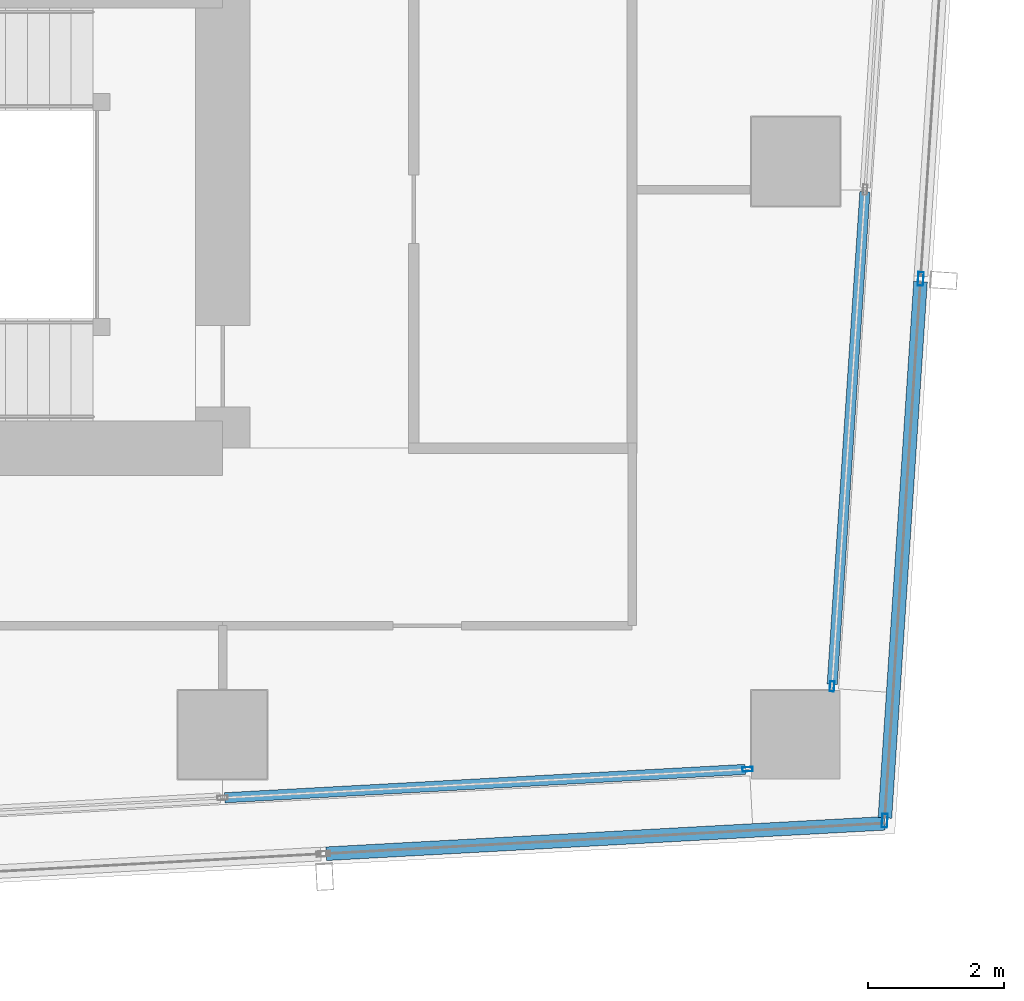
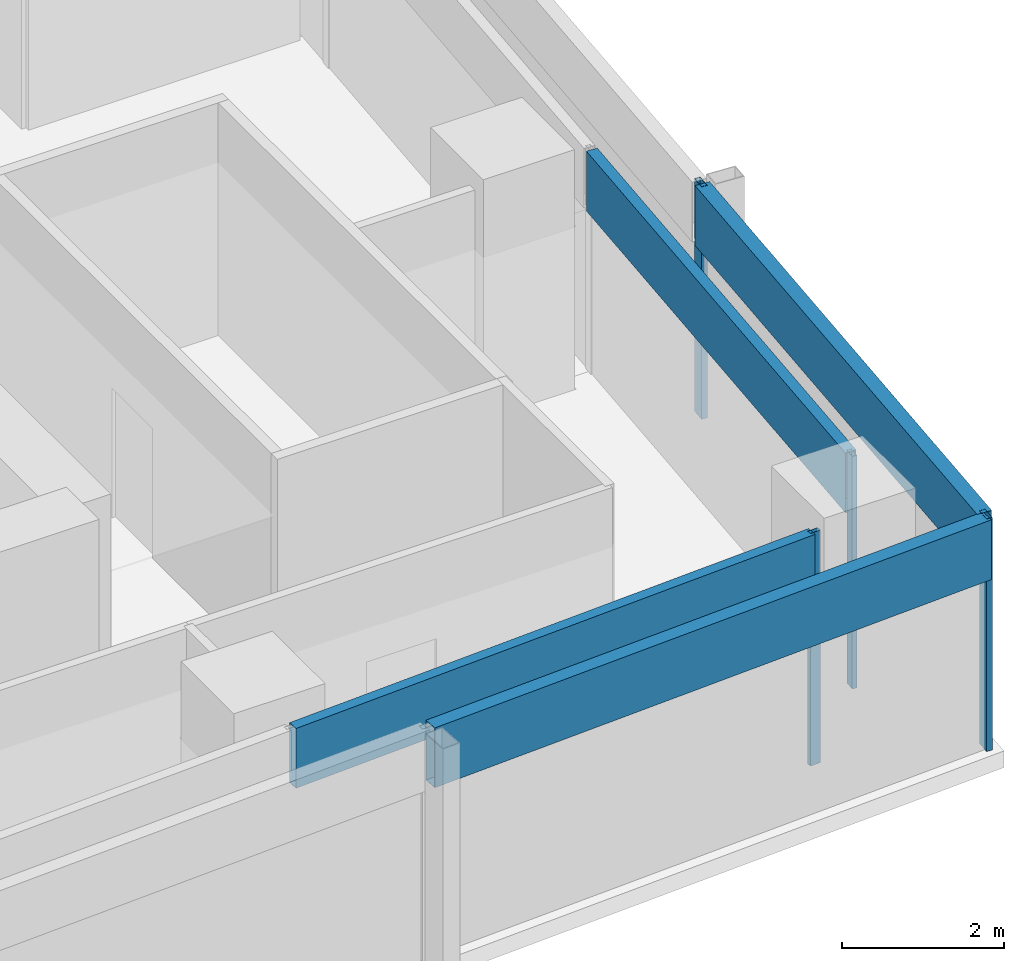
# One storey, part 11 of 29: 8 members, 4 elements without a shape of their own.
"""IFC4 building model written with IfcOpenShell, lengths in metres."""

from ifc_helpers import new_model, si_unit, direction, frame, origin, origin_2d, place, context, subcontext, project, spatial, hollow_rectangle, extrude, material, material_profile, profile_set, type_object, element, aggregate, save


model = new_model("IFC4")

# Units and contexts
model_context = context("Model", 3, precision=1e-05, world=origin(), true_north=direction((0.0, 1.0)))
body_context = subcontext(model_context, "Body", "Model", "MODEL_VIEW")
ifc_project = project(units=[si_unit("LENGTHUNIT", "METRE"), si_unit("AREAUNIT", "SQUARE_METRE"), si_unit("VOLUMEUNIT", "CUBIC_METRE"), si_unit("PLANEANGLEUNIT", "RADIAN"), si_unit("MASSUNIT", "GRAM", prefix="KILO")], contexts=[model_context])

# Site, building, storey
site_placement = place(None, origin())
site = spatial("IfcSite", under=ifc_project, at=site_placement, CompositionType="ELEMENT")
building_placement = place(site_placement, origin())
building = spatial("IfcBuilding", under=site, at=building_placement, Name="Rekha Terrace Tower", CompositionType="ELEMENT")
storey_placement = place(building_placement, frame((0.0, 0.0, 276.35009765625)))
storey = spatial("IfcBuildingStorey", under=building, at=storey_placement, Name="L70", CompositionType="ELEMENT", Elevation=276.35009765625)

# Curtain wall, member
ifc_material_1 = material(Name="Aluminium framing", Category="aluminium")
curtain_wall_type_1 = type_object("IfcCurtainWallType", Name="CW1 double skin inner glazing", PredefinedType="USERDEFINED", material=ifc_material_1)
curtain_wall_1_placement = place(storey_placement, origin())
curtain_wall_1 = element("IfcCurtainWall", 1, at=curtain_wall_1_placement, inside=storey, type_object=curtain_wall_type_1, Name="CW1 double skin inner glazing", ObjectType="DOUBLE SKIN INNER GLAZING", PredefinedType="USERDEFINED")
ifc_material_2 = material(Name="Aluminium mullion section", Category="aluminium")
ifc_material_profile_1 = material_profile(ifc_material_2, hollow_rectangle(XDim=0.06494140625, YDim=0.14990234375, WallThickness=0.00390625, at=origin_2d()), Name="AL RHS 65x150")
ifc_profile_set_1 = profile_set([ifc_material_profile_1], Name="Aluminium mullion section")
member_type_1 = type_object("IfcMemberType", Name="CW1 mullion RHS 65 x 150", PredefinedType="MULLION", material=ifc_profile_set_1)
member_1_placement = place(storey_placement, frame((58.092529296875, 16.2939453125, 0.0), z_axis=(0.0, 0.0, 1.0), x_axis=(-0.054388903036, 0.998519828159, 0.0)))
member_1 = element("IfcMember", 2, at=member_1_placement, type_object=member_type_1, Name="CW1 mullion 5", PredefinedType="MULLION", context=body_context, shape_type="SweptSolid", body=[
    extrude(hollow_rectangle(XDim=0.06494140625, YDim=0.14990234375, WallThickness=0.00390625, at=origin_2d()), origin(), (0.0, 0.0, 1.0), 3.5),
])

curtain_wall_2_placement = place(storey_placement, origin())
curtain_wall_2 = element("IfcCurtainWall", 3, at=curtain_wall_2_placement, inside=storey, type_object=curtain_wall_type_1, Name="CW1 double skin inner glazing", ObjectType="DOUBLE SKIN INNER GLAZING", PredefinedType="USERDEFINED")
member_2_placement = place(storey_placement, frame((59.3310546875, 17.5087890625, 0.0), z_axis=(0.0, 0.0, 1.0), x_axis=(-0.997801621769, 0.066271589649, 0.0)))
member_2 = element("IfcMember", 4, at=member_2_placement, type_object=member_type_1, Name="CW1 mullion 1", PredefinedType="MULLION", context=body_context, shape_type="SweptSolid", body=[
    extrude(hollow_rectangle(XDim=0.06494140625, YDim=0.14990234375, WallThickness=0.00390625, at=origin_2d()), origin(), (0.0, 0.0, 1.0), 3.5),
])

# Member
ifc_material_3 = material(Name="Insulated aluminium spandrel box", Category="aluminium")
ifc_material_profile_2 = material_profile(ifc_material_3, hollow_rectangle(XDim=0.14990234375, YDim=0.89990234375, WallThickness=0.0029296875, at=origin_2d()), Name="AL SPANDREL BOX 150x900")
ifc_profile_set_2 = profile_set([ifc_material_profile_2], Name="Insulated aluminium spandrel box")
member_type_2 = type_object("IfcMemberType", Name="CW1 spandrel transom 150 x 900", PredefinedType="USERDEFINED", material=ifc_profile_set_2)
member_3_placement = place(storey_placement, frame((50.431640625, 15.876708984375, 3.0498046875), z_axis=(0.998519749799, 0.054390341617, 0.0), x_axis=(-0.054390341617, 0.998519749799, 0.0)))
member_3 = element("IfcMember", 5, at=member_3_placement, type_object=member_type_2, Name="CW1 spandrel transom 4", ObjectType="TRANSOM", PredefinedType="USERDEFINED", context=body_context, shape_type="SweptSolid", body=[
    extrude(hollow_rectangle(XDim=0.14990234375, YDim=0.89990234375, WallThickness=0.0029296875, at=origin_2d()), origin(), (0.0, 0.0, 1.0), 7.6396484375),
])

aggregate(curtain_wall_1, [member_1, member_3])

member_4_placement = place(storey_placement, frame((59.333251953125, 17.541015625, 3.0498046875), z_axis=(0.066261233081, 0.997802309574, 0.0), x_axis=(-0.997802309574, 0.066261233081, 0.0)))
member_4 = element("IfcMember", 6, at=member_4_placement, type_object=member_type_2, Name="CW1 spandrel transom 1", ObjectType="TRANSOM", PredefinedType="USERDEFINED", context=body_context, shape_type="SweptSolid", body=[
    extrude(hollow_rectangle(XDim=0.14990234375, YDim=0.89990234375, WallThickness=0.0029296875, at=origin_2d()), origin(), (0.0, 0.0, 1.0), 7.22900390625),
])

aggregate(curtain_wall_2, [member_2, member_4])

# Curtain wall, members
curtain_wall_type_2 = type_object("IfcCurtainWallType", Name="CW2 double skin outer glazing", PredefinedType="USERDEFINED", material=ifc_material_1)
curtain_wall_3_placement = place(storey_placement, origin())
curtain_wall_3 = element("IfcCurtainWall", 7, at=curtain_wall_3_placement, inside=storey, type_object=curtain_wall_type_2, Name="CW2 double skin outer glazing", ObjectType="DOUBLE SKIN OUTER GLAZING", PredefinedType="USERDEFINED")
ifc_material_profile_3 = material_profile(ifc_material_2, hollow_rectangle(XDim=0.080078125, YDim=0.199951171875, WallThickness=0.00390625, at=origin_2d()), Name="AL RHS 80x200")
ifc_profile_set_3 = profile_set([ifc_material_profile_3], Name="Aluminium mullion section")
member_type_3 = type_object("IfcMemberType", Name="CW2 mullion RHS 80 x 200", PredefinedType="MULLION", material=ifc_profile_set_3)
member_5_placement = place(storey_placement, frame((60.102294921875, 15.5419921875, 0.0), z_axis=(0.0, 0.0, 1.0), x_axis=(-0.997801621769, 0.066271589649, 0.0)))
member_5 = element("IfcMember", 8, at=member_5_placement, type_object=member_type_3, Name="CW2 mullion 1", PredefinedType="MULLION", context=body_context, shape_type="SweptSolid", body=[
    extrude(hollow_rectangle(XDim=0.080078125, YDim=0.199951171875, WallThickness=0.00390625, at=origin_2d()), origin(), (0.0, 0.0, 1.0), 3.5),
])
member_6_placement = place(storey_placement, frame((60.629638671875, 23.479736328125, 0.0), z_axis=(0.0, 0.0, 1.0), x_axis=(-0.997801621769, 0.066271589649, 0.0)))
member_6 = element("IfcMember", 9, at=member_6_placement, type_object=member_type_3, Name="CW2 mullion 2", PredefinedType="MULLION", context=body_context, shape_type="SweptSolid", body=[
    extrude(hollow_rectangle(XDim=0.080078125, YDim=0.199951171875, WallThickness=0.00390625, at=origin_2d()), origin(), (0.0, 0.0, 1.0), 3.5),
])

# Curtain wall, member
curtain_wall_4_placement = place(storey_placement, origin())
curtain_wall_4 = element("IfcCurtainWall", 10, at=curtain_wall_4_placement, inside=storey, type_object=curtain_wall_type_2, Name="CW2 double skin outer glazing", ObjectType="DOUBLE SKIN OUTER GLAZING", PredefinedType="USERDEFINED")
ifc_material_profile_4 = material_profile(ifc_material_3, hollow_rectangle(XDim=0.199951171875, YDim=0.89990234375, WallThickness=0.0029296875, at=origin_2d()), Name="AL SPANDREL BOX 200x900")
ifc_profile_set_4 = profile_set([ifc_material_profile_4], Name="Insulated aluminium spandrel box")
member_type_4 = type_object("IfcMemberType", Name="CW2 spandrel transom 200 x 900", PredefinedType="USERDEFINED", material=ifc_profile_set_4)
member_7_placement = place(storey_placement, frame((51.91650390625, 15.056396484375, 3.0498046875), z_axis=(0.998521064062, 0.054366208476, 0.0), x_axis=(-0.054366208476, 0.998521064062, 0.0)))
member_7 = element("IfcMember", 11, at=member_7_placement, type_object=member_type_4, Name="CW2 spandrel transom 4", ObjectType="TRANSOM", PredefinedType="USERDEFINED", context=body_context, shape_type="SweptSolid", body=[
    extrude(hollow_rectangle(XDim=0.199951171875, YDim=0.89990234375, WallThickness=0.0029296875, at=origin_2d()), origin(), (0.0, 0.0, 1.0), 8.195556640625),
])
aggregate(curtain_wall_4, [member_7])

# Member
member_8_placement = place(storey_placement, frame((60.10498046875, 15.581787109375, 3.0498046875), z_axis=(0.066280327672, 0.997801041372, 0.0), x_axis=(-0.997801041372, 0.066280327672, 0.0)))
member_8 = element("IfcMember", 12, at=member_8_placement, type_object=member_type_4, Name="CW2 spandrel transom 1", ObjectType="TRANSOM", PredefinedType="USERDEFINED", context=body_context, shape_type="SweptSolid", body=[
    extrude(hollow_rectangle(XDim=0.199951171875, YDim=0.89990234375, WallThickness=0.0029296875, at=origin_2d()), origin(), (0.0, 0.0, 1.0), 7.875244140625),
])

aggregate(curtain_wall_3, [member_5, member_6, member_8])

save(model, "model.ifc")
